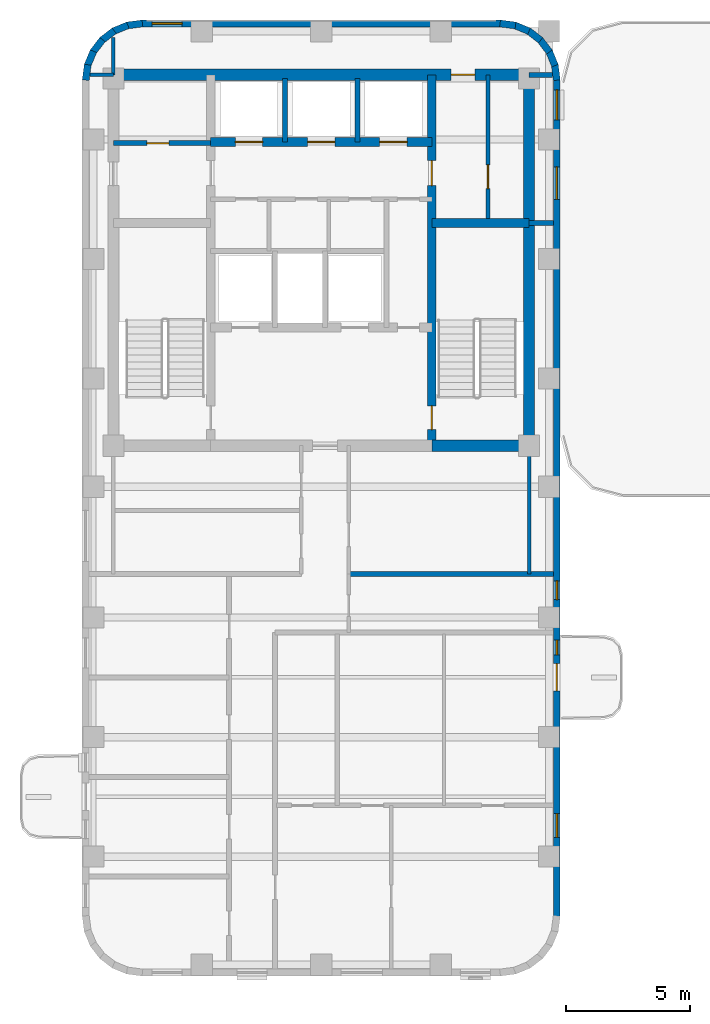
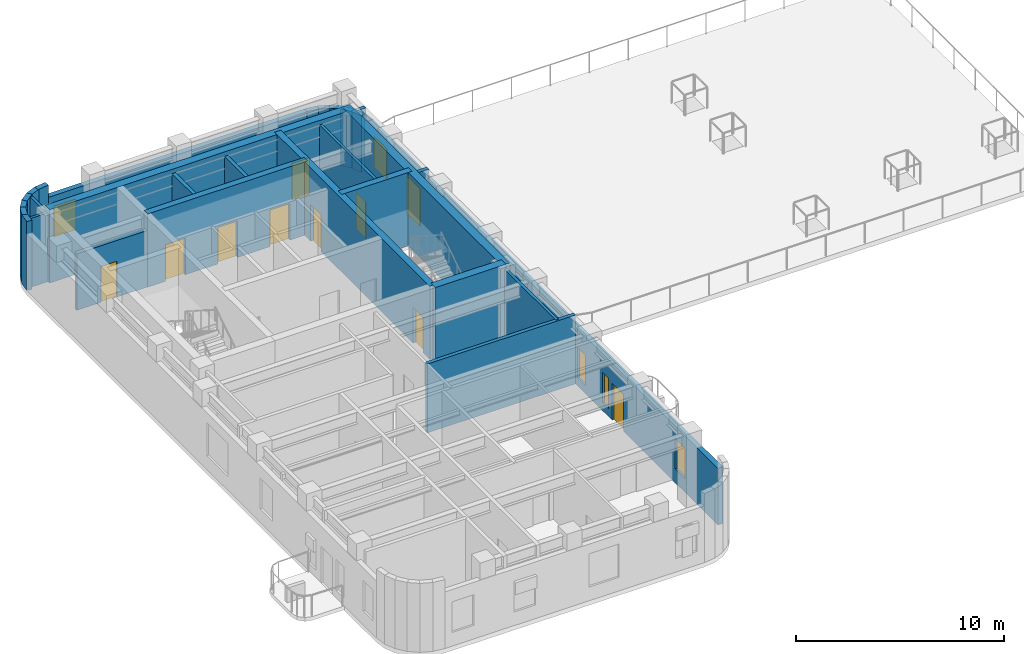
# One storey, part 4 of 7: 30 walls, 10 doors, 5 windows, 15 openings.
"""IFC4 building model written with IfcOpenShell, lengths in metres."""

import ifcopenshell
import ifcopenshell.guid

model = None  # the IFC model being written
_history = None  # IfcOwnerHistory: only IFC2X3 demands one
_inside = {}  # id of a spatial element -> (the spatial element, [elements in it])
_under = {}  # id of a project, library or spatial element -> (it, [spatial elements below it])
_declared = {}  # id of a project -> (the project, [libraries it declares])
_typed = {}  # id of a type object -> (the type object, [elements of that type])
_made_of = {}  # id of a material, layer set ... -> (it, [elements and type objects made of it])


def new_model(schema):
    """Start an empty IFC model of exactly this schema.

    Asked for "IFC4X3", IfcOpenShell would pick the latest addendum, in which some entities
    have other attributes; the version numbers below select the first issue.
    IFC2X3 requires an IfcOwnerHistory on every rooted entity: one is made here for all.
    """
    global model, _history
    if schema == "IFC4X3":
        model = ifcopenshell.file(schema_version=(4, 3, 0, 0))
    else:
        model = ifcopenshell.file(schema=schema)
    _inside.clear()
    _under.clear()
    _declared.clear()
    _typed.clear()
    _made_of.clear()
    _history = None
    if model.schema == "IFC2X3":
        org = make("IfcOrganization", Name="unknown")
        user = make(
            "IfcPersonAndOrganization",
            ThePerson=make("IfcPerson", FamilyName="unknown"),
            TheOrganization=org,
        )
        app = make(
            "IfcApplication",
            ApplicationDeveloper=org,
            Version="unknown",
            ApplicationFullName="unknown",
            ApplicationIdentifier="unknown",
        )
        _history = make(
            "IfcOwnerHistory",
            OwningUser=user,
            OwningApplication=app,
            ChangeAction="ADDED",
            CreationDate=0,
        )
    return model


def make(cls, **values):
    """One entity of the class cls with the attributes given. An attribute that is None is left unset."""
    return model.create_entity(
        cls, **{name: value for name, value in values.items() if value is not None}
    )


def rooted(cls, **values):
    """An entity with a GlobalId (a new one), such as an element, a storey or a relation."""
    return make(cls, GlobalId=ifcopenshell.guid.new(), OwnerHistory=_history, **values)


def si_unit(unit_type, name, prefix=None):
    """IfcSIUnit, for example si_unit("LENGTHUNIT", "METRE", prefix="MILLI")."""
    return make("IfcSIUnit", UnitType=unit_type, Prefix=prefix, Name=name)


def assignment(units):
    """IfcUnitAssignment: the units of a project."""
    return None if units is None else make("IfcUnitAssignment", Units=units)


def point(xyz):
    """IfcCartesianPoint."""
    return None if xyz is None else make("IfcCartesianPoint", Coordinates=xyz)


def direction(xyz):
    """IfcDirection."""
    return None if xyz is None else make("IfcDirection", DirectionRatios=xyz)


def frame(location, z_axis=None, x_axis=None):
    """IfcAxis2Placement3D, a coordinate frame: its origin and axes. An axis left out is left unset."""
    return make(
        "IfcAxis2Placement3D",
        Location=point(location),
        Axis=direction(z_axis),
        RefDirection=direction(x_axis),
    )


def frame_2d(location, x_axis=None):
    """IfcAxis2Placement2D, a coordinate frame in the plane: its origin and x axis."""
    return make(
        "IfcAxis2Placement2D", Location=point(location), RefDirection=direction(x_axis)
    )


def origin():
    """The frame at (0, 0, 0) with its axes left unset."""
    return frame((0.0, 0.0, 0.0))


def place(relative_to, where):
    """IfcLocalPlacement: puts the frame where relative to a parent placement (None: the world)."""
    return make(
        "IfcLocalPlacement", PlacementRelTo=relative_to, RelativePlacement=where
    )


def context(
    kind, dimensions, precision=None, world=None, true_north=None, identifier=None
):
    """IfcGeometricRepresentationContext, for example the 3D "Model" context."""
    return make(
        "IfcGeometricRepresentationContext",
        ContextIdentifier=identifier,
        ContextType=kind,
        CoordinateSpaceDimension=dimensions,
        Precision=precision,
        WorldCoordinateSystem=world,
        TrueNorth=true_north,
    )


def subcontext(parent, identifier, kind, view, scale=None):
    """IfcGeometricRepresentationSubContext, for example "Body" below "Model"."""
    return make(
        "IfcGeometricRepresentationSubContext",
        ContextIdentifier=identifier,
        ContextType=kind,
        ParentContext=parent,
        TargetScale=scale,
        TargetView=view,
    )


def project(units=None, contexts=None):
    """IfcProject with its units and contexts."""
    return rooted(
        "IfcProject",
        Name="project",
        RepresentationContexts=contexts,
        UnitsInContext=assignment(units),
    )


def spatial(cls, under=None, at=None, **own):
    """A site, building, storey or space (cls), placed at a placement, below another one or the project."""
    s = rooted(cls, ObjectPlacement=at, **own)
    if under is not None:
        _under.setdefault(under.id(), (under, []))[1].append(s)
    return s


def profile(cls, at=None, kind="AREA", **sizes):
    """A parametric profile (cls). Its sizes go by their IFC names, for example OverallWidth=200.0."""
    return make(cls, ProfileType=kind, Position=at, **sizes)


def rectangle(**sizes):
    """IfcRectangleProfileDef."""
    return profile("IfcRectangleProfileDef", **sizes)


def extrude(swept, where, along, depth):
    """IfcExtrudedAreaSolid: the profile swept, set in the frame where, extruded along a direction by depth."""
    return make(
        "IfcExtrudedAreaSolid",
        SweptArea=swept,
        Position=where,
        ExtrudedDirection=direction(along),
        Depth=depth,
    )


def shape(context_of_items, identifier, shape_type, items):
    """IfcShapeRepresentation: the items that make up one representation, for example the "Body"."""
    return make(
        "IfcShapeRepresentation",
        ContextOfItems=context_of_items,
        RepresentationIdentifier=identifier,
        RepresentationType=shape_type,
        Items=items,
    )


def material(Name=None, Category=None):
    """IfcMaterial."""
    return make("IfcMaterial", Name=Name, Category=Category)


def layer(
    of_material, thickness, ventilated=None, Name=None, Category=None, Priority=None
):
    """IfcMaterialLayer: one layer of a wall or slab, of a material (None: an air gap)."""
    return make(
        "IfcMaterialLayer",
        Material=of_material,
        LayerThickness=thickness,
        IsVentilated=ventilated,
        Name=Name,
        Category=Category,
        Priority=Priority,
    )


def layer_set(layers, Name=None):
    """IfcMaterialLayerSet."""
    return make("IfcMaterialLayerSet", MaterialLayers=layers, LayerSetName=Name)


def made_of(thing, what):
    """Note that an element or type object is made of a material, layer set ...; save() writes the relation."""
    if what is not None:
        _made_of.setdefault(what.id(), (what, []))[1].append(thing)
    return thing


def type_object(cls, material=None, **own):
    """A type object (cls), such as IfcWallType, which elements share."""
    return made_of(rooted(cls, **own), material)


def element(
    cls,
    number,
    at=None,
    inside=None,
    cuts=None,
    type_object=None,
    material=None,
    context=None,
    identifier="Body",
    shape_type=None,
    held_by="IfcProductDefinitionShape",
    body=None,
    shapes=None,
    **own,
):
    """One element of the class cls, such as IfcWall. Its Tag is "e" and its number.

    at: its placement. inside: the storey or other place that contains it. cuts: it is an
    opening in that element (IfcRelVoidsElement). A single representation is given by context,
    identifier, shape_type and body (its items); several are given by shapes. held_by: the class
    of the entity that holds the representations. save() writes the other relations.
    """
    e = rooted(cls, Tag="e%d" % number, ObjectPlacement=at, **own)
    if body is not None:
        shapes = [shape(context, identifier, shape_type, body)]
    if shapes is not None:
        e.Representation = make(held_by, Representations=shapes)
    if inside is not None:
        _inside.setdefault(inside.id(), (inside, []))[1].append(e)
    if cuts is not None:
        rooted(
            "IfcRelVoidsElement", RelatingBuildingElement=cuts, RelatedOpeningElement=e
        )
    if type_object is not None:
        _typed.setdefault(type_object.id(), (type_object, []))[1].append(e)
    return made_of(e, material)


def fill(opening, filler):
    """IfcRelFillsElement: the door or window that sits in an opening."""
    return rooted(
        "IfcRelFillsElement",
        RelatingOpeningElement=opening,
        RelatedBuildingElement=filler,
    )


def aggregate(whole, parts):
    """IfcRelAggregates: a whole, such as a stair, and the parts it consists of."""
    return rooted("IfcRelAggregates", RelatingObject=whole, RelatedObjects=parts)


def save(model, path):
    """Write the relations noted so far, then the file.

    IfcRelAggregates (storeys below a building ...), IfcRelContainedInSpatialStructure (elements
    in a storey), IfcRelDefinesByType, IfcRelAssociatesMaterial and IfcRelDeclares: one each for
    every whole, place, type object, material and project.
    """
    for whole, parts in _under.values():
        aggregate(whole, parts)
    for where, things in _inside.values():
        rooted(
            "IfcRelContainedInSpatialStructure",
            RelatedElements=things,
            RelatingStructure=where,
        )
    for kind, things in _typed.values():
        rooted("IfcRelDefinesByType", RelatedObjects=things, RelatingType=kind)
    for what, things in _made_of.values():
        rooted("IfcRelAssociatesMaterial", RelatedObjects=things, RelatingMaterial=what)
    for by, libraries in _declared.values():
        rooted("IfcRelDeclares", RelatingContext=by, RelatedDefinitions=libraries)
    model.write(path)


model = new_model("IFC4")

# Units and contexts
model_context = context("Model", 3, precision=1e-05, world=origin(), true_north=direction((0.0, 1.0)))
body_context = subcontext(model_context, "Body", "Model", "MODEL_VIEW")
ifc_project = project(units=[si_unit("LENGTHUNIT", "METRE"), si_unit("AREAUNIT", "SQUARE_METRE"), si_unit("VOLUMEUNIT", "CUBIC_METRE"), si_unit("PLANEANGLEUNIT", "RADIAN"), si_unit("MASSUNIT", "GRAM", prefix="KILO")], contexts=[model_context])

# Site, building, storey
site_placement = place(None, origin())
site = spatial("IfcSite", under=ifc_project, at=site_placement, CompositionType="ELEMENT")
building_placement = place(site_placement, origin())
building = spatial("IfcBuilding", under=site, at=building_placement, Name="Orvandelia Arch Residences", CompositionType="ELEMENT")
storey_placement = place(building_placement, frame((0.0, 0.0, 239.800048828125)))
storey = spatial("IfcBuildingStorey", under=building, at=storey_placement, Name="L63", CompositionType="ELEMENT", Elevation=239.800048828125)

# Wall, openings, doors
ifc_material_1 = material(Name="Concrete C50/60", Category="concrete")
ifc_layer_1 = layer(ifc_material_1, 0.35009765625, Name="Concrete C50/60", Category="concrete")
ifc_layer_set_1 = layer_set([ifc_layer_1], Name="Concrete C50/60")
wall_type_1 = type_object("IfcWallType", Name="WL-CORE-350", PredefinedType="SHEAR", material=ifc_layer_set_1)
wall_1_placement = place(storey_placement, frame((18.840087890625, 30.89990234375, 0.0), z_axis=(0.0, 0.0, 1.0), x_axis=(0.0, 1.0, 0.0)))
wall_1 = element("IfcWall", 1, at=wall_1_placement, inside=storey, type_object=wall_type_1, Name="Core Shear Wall L63-WEB2", PredefinedType="SHEAR", context=body_context, shape_type="SweptSolid", body=[
    extrude(rectangle(XDim=14.900146484375, YDim=0.35009765625, at=frame_2d((7.4501953125, 0.0))), origin(), (0.0, 0.0, 1.0), 4.300048828125),
])
opening_1_placement = place(wall_1_placement, frame((0.64990234375, 0.0, 0.0)))
opening_1 = element("IfcOpeningElement", 2, at=opening_1_placement, cuts=wall_1, Name="Opening D7", PredefinedType="OPENING", context=body_context, shape_type="SweptSolid", body=[
    extrude(rectangle(XDim=0.949951171875, YDim=2.10009765625, at=frame_2d((0.47509765625, 1.050048828125))), frame((0.0, 0.18505859375, 0.0), z_axis=(0.0, -1.0, 0.0), x_axis=(1.0, 0.0, 0.0)), (0.0, 0.0, 1.0), 0.3701171875),
])
opening_2_placement = place(wall_1_placement, frame((10.449951171875, 0.0, 0.0)))
opening_2 = element("IfcOpeningElement", 3, at=opening_2_placement, cuts=wall_1, Name="Opening D6", PredefinedType="OPENING", context=body_context, shape_type="SweptSolid", body=[
    extrude(rectangle(XDim=1.0, YDim=2.14990234375, at=frame_2d((0.5, 1.074951171875))), frame((0.0, 0.18505859375, 0.0), z_axis=(0.0, -1.0, 0.0), x_axis=(1.0, 0.0, 0.0)), (0.0, 0.0, 1.0), 0.3701171875),
])
ifc_material_2 = material(Name="Smokeproof Painted Steel Fire Door", Category="steel")
door_type_1 = type_object("IfcDoorType", Name="DR-FD60-1000", OperationType="NOTDEFINED", PredefinedType="DOOR", material=ifc_material_2)
door_1_placement = place(opening_2_placement, origin())
door_1 = element("IfcDoor", 4, at=door_1_placement, inside=storey, type_object=door_type_1, Name="High-Rise Lift Hall East Vestibule Door L63", OperationType="SINGLE_SWING_RIGHT", OverallHeight=2.14990234375, OverallWidth=1.0, PredefinedType="DOOR", context=body_context, shape_type="SweptSolid", body=[
    extrude(rectangle(XDim=1.0, YDim=2.14990234375, at=frame_2d((0.5, 1.074951171875))), frame((0.0, 0.02490234375, 0.0), z_axis=(0.0, -1.0, 0.0), x_axis=(1.0, 0.0, 0.0)), (0.0, 0.0, 1.0), 0.050048828125),
])
fill(opening_2, door_1)
ifc_material_3 = material(Name="Pressurised Stairwell Fire Door")
door_type_2 = type_object("IfcDoorType", Name="DR-STAIR-950", OperationType="NOTDEFINED", PredefinedType="DOOR", material=ifc_material_3)
door_2_placement = place(opening_1_placement, origin())
door_2 = element("IfcDoor", 5, at=door_2_placement, inside=storey, type_object=door_type_2, Name="Stairwell ST-2 Fire Door L63", OperationType="SINGLE_SWING_RIGHT", OverallHeight=2.10009765625, OverallWidth=0.949951171875, PredefinedType="DOOR", context=body_context, shape_type="SweptSolid", body=[
    extrude(rectangle(XDim=0.949951171875, YDim=2.10009765625, at=frame_2d((0.47509765625, 1.050048828125))), frame((0.0, 0.02490234375, 0.0), z_axis=(0.0, -1.0, 0.0), x_axis=(1.0, 0.0, 0.0)), (0.0, 0.0, 1.0), 0.050048828125),
])
fill(opening_1, door_2)

# Wall
wall_2_placement = place(storey_placement, frame((18.840087890625, 39.85009765625, 0.0), z_axis=(0.0, 0.0, 1.0), x_axis=(1.0, 0.0, 0.0)))
element("IfcWall", 6, at=wall_2_placement, inside=storey, type_object=wall_type_1, Name="Core Shear Wall L63-HZ2", PredefinedType="SHEAR", context=body_context, shape_type="SweptSolid", body=[
    extrude(rectangle(XDim=3.909912109375, YDim=0.35009765625, at=frame_2d((1.955078125, 0.0))), origin(), (0.0, 0.0, 1.0), 4.300048828125),
])

# Wall, openings, doors
wall_3_placement = place(storey_placement, frame((9.9599609375, 43.10009765625, 0.0), z_axis=(0.0, 0.0, 1.0), x_axis=(1.0, 0.0, 0.0)))
wall_3 = element("IfcWall", 7, at=wall_3_placement, inside=storey, type_object=wall_type_1, Name="Core Shear Wall L63-HZ4", PredefinedType="SHEAR", context=body_context, shape_type="SweptSolid", body=[
    extrude(rectangle(XDim=8.880126953125, YDim=0.35009765625, at=frame_2d((4.43994140625, 0.0))), origin(), (0.0, 0.0, 1.0), 4.300048828125),
])
opening_3_placement = place(wall_3_placement, frame((0.989990234375, 0.0, 0.0)))
opening_3 = element("IfcOpeningElement", 8, at=opening_3_placement, cuts=wall_3, Name="Opening LD", PredefinedType="OPENING", context=body_context, shape_type="SweptSolid", body=[
    extrude(rectangle(XDim=1.10009765625, YDim=2.14990234375, at=frame_2d((0.550048828125, 1.074951171875))), frame((0.0, 0.18505859375, 0.0), z_axis=(0.0, -1.0, 0.0), x_axis=(1.0, 0.0, 0.0)), (0.0, 0.0, 1.0), 0.3701171875),
])
opening_4_placement = place(wall_3_placement, frame((3.889892578125, 0.0, 0.0)))
opening_4 = element("IfcOpeningElement", 9, at=opening_4_placement, cuts=wall_3, Name="Opening LD", PredefinedType="OPENING", context=body_context, shape_type="SweptSolid", body=[
    extrude(rectangle(XDim=1.10009765625, YDim=2.14990234375, at=frame_2d((0.550048828125, 1.074951171875))), frame((0.0, 0.18505859375, 0.0), z_axis=(0.0, -1.0, 0.0), x_axis=(1.0, 0.0, 0.0)), (0.0, 0.0, 1.0), 0.3701171875),
])
opening_5_placement = place(wall_3_placement, frame((6.7900390625, 0.0, 0.0)))
opening_5 = element("IfcOpeningElement", 10, at=opening_5_placement, cuts=wall_3, Name="Opening LD", PredefinedType="OPENING", context=body_context, shape_type="SweptSolid", body=[
    extrude(rectangle(XDim=1.10009765625, YDim=2.14990234375, at=frame_2d((0.550048828125, 1.074951171875))), frame((0.0, 0.18505859375, 0.0), z_axis=(0.0, -1.0, 0.0), x_axis=(1.0, 0.0, 0.0)), (0.0, 0.0, 1.0), 0.3701171875),
])
ifc_material_4 = material(Name="Brushed Stainless Steel Sliding Lift Door", Category="steel")
door_type_3 = type_object("IfcDoorType", Name="DR-LIFT-1100", OperationType="NOTDEFINED", PredefinedType="DOOR", material=ifc_material_4)
door_3_placement = place(opening_3_placement, origin())
door_3 = element("IfcDoor", 11, at=door_3_placement, inside=storey, type_object=door_type_3, Name="Lift Landing Door LD-PH1-L63", OperationType="SLIDING_TO_LEFT", OverallHeight=2.14990234375, OverallWidth=1.10009765625, PredefinedType="DOOR", context=body_context, shape_type="SweptSolid", body=[
    extrude(rectangle(XDim=1.10009765625, YDim=2.14990234375, at=frame_2d((0.550048828125, 1.074951171875))), frame((0.0, 0.02490234375, 0.0), z_axis=(0.0, -1.0, 0.0), x_axis=(1.0, 0.0, 0.0)), (0.0, 0.0, 1.0), 0.050048828125),
])
fill(opening_3, door_3)
door_4_placement = place(opening_4_placement, origin())
door_4 = element("IfcDoor", 12, at=door_4_placement, inside=storey, type_object=door_type_3, Name="Lift Landing Door LD-PH2-L63", OperationType="SLIDING_TO_RIGHT", OverallHeight=2.14990234375, OverallWidth=1.10009765625, PredefinedType="DOOR", context=body_context, shape_type="SweptSolid", body=[
    extrude(rectangle(XDim=1.10009765625, YDim=2.14990234375, at=frame_2d((0.550048828125, 1.074951171875))), frame((0.0, 0.02490234375, 0.0), z_axis=(0.0, -1.0, 0.0), x_axis=(1.0, 0.0, 0.0)), (0.0, 0.0, 1.0), 0.050048828125),
])
fill(opening_4, door_4)
door_5_placement = place(opening_5_placement, origin())
door_5 = element("IfcDoor", 13, at=door_5_placement, inside=storey, type_object=door_type_3, Name="Lift Landing Door LD-PH3-L63", OperationType="SLIDING_TO_LEFT", OverallHeight=2.14990234375, OverallWidth=1.10009765625, PredefinedType="DOOR", context=body_context, shape_type="SweptSolid", body=[
    extrude(rectangle(XDim=1.10009765625, YDim=2.14990234375, at=frame_2d((0.550048828125, 1.074951171875))), frame((0.0, 0.02490234375, 0.0), z_axis=(0.0, -1.0, 0.0), x_axis=(1.0, 0.0, 0.0)), (0.0, 0.0, 1.0), 0.050048828125),
])
fill(opening_5, door_5)

# Wall
ifc_layer_2 = layer(ifc_material_1, 0.449951171875, Name="Concrete C50/60", Category="concrete")
ifc_layer_set_2 = layer_set([ifc_layer_2], Name="Concrete C50/60")
wall_type_2 = type_object("IfcWallType", Name="WL-CORE-450", PredefinedType="SHEAR", material=ifc_layer_set_2)
wall_4_placement = place(storey_placement, frame((22.75, 30.675048828125, 0.0), z_axis=(0.0, 0.0, 1.0), x_axis=(0.0, 1.0, 0.0)))
element("IfcWall", 14, at=wall_4_placement, inside=storey, type_object=wall_type_2, Name="Core Shear Wall L63-E", PredefinedType="SHEAR", context=body_context, shape_type="SweptSolid", body=[
    extrude(rectangle(XDim=15.349853515625, YDim=0.449951171875, at=frame_2d((7.6748046875, 0.0))), origin(), (0.0, 0.0, 1.0), 4.300048828125),
])

# Wall, opening, door
wall_5_placement = place(storey_placement, frame((6.050048828125, 45.800048828125, 0.0), z_axis=(0.0, 0.0, 1.0), x_axis=(1.0, 0.0, 0.0)))
wall_5 = element("IfcWall", 15, at=wall_5_placement, inside=storey, type_object=wall_type_2, Name="Core Shear Wall L63-N", PredefinedType="SHEAR", context=body_context, shape_type="SweptSolid", body=[
    extrude(rectangle(XDim=16.699951171875, YDim=0.449951171875, at=frame_2d((8.35009765625, 0.0))), origin(), (0.0, 0.0, 1.0), 4.300048828125),
])
opening_6_placement = place(wall_5_placement, frame((13.570068359375, 0.0, 0.0)))
opening_6 = element("IfcOpeningElement", 16, at=opening_6_placement, cuts=wall_5, Name="Opening D2", PredefinedType="OPENING", context=body_context, shape_type="SweptSolid", body=[
    extrude(rectangle(XDim=0.949951171875, YDim=2.14990234375, at=frame_2d((0.47509765625, 1.074951171875))), frame((0.0, 0.23486328125, 0.0), z_axis=(0.0, -1.0, 0.0), x_axis=(1.0, 0.0, 0.0)), (0.0, 0.0, 1.0), 0.469970703125),
])
ifc_material_5 = material(Name="Solid-Core Timber Interior Fire Door", Category="wood")
door_type_4 = type_object("IfcDoorType", Name="DR-APT-950", OperationType="NOTDEFINED", PredefinedType="DOOR", material=ifc_material_5)
door_6_placement = place(opening_6_placement, origin())
door_6 = element("IfcDoor", 17, at=door_6_placement, inside=storey, type_object=door_type_4, Name="North Harbour Suite Entry Door L63", OperationType="SINGLE_SWING_LEFT", OverallHeight=2.14990234375, OverallWidth=0.949951171875, PredefinedType="DOOR", context=body_context, shape_type="SweptSolid", body=[
    extrude(rectangle(XDim=0.949951171875, YDim=2.14990234375, at=frame_2d((0.47509765625, 1.074951171875))), frame((0.0, 0.02490234375, 0.0), z_axis=(0.0, -1.0, 0.0), x_axis=(1.0, 0.0, 0.0)), (0.0, 0.0, 1.0), 0.050048828125),
])
fill(opening_6, door_6)

# Walls
wall_6_placement = place(storey_placement, frame((18.840087890625, 30.89990234375, 0.0), z_axis=(0.0, 0.0, 1.0), x_axis=(1.0, 0.0, 0.0)))
element("IfcWall", 18, at=wall_6_placement, inside=storey, type_object=wall_type_2, Name="Core Shear Wall L63-SE", PredefinedType="SHEAR", context=body_context, shape_type="SweptSolid", body=[
    extrude(rectangle(XDim=3.909912109375, YDim=0.449951171875, at=frame_2d((1.955078125, 0.0))), origin(), (0.0, 0.0, 1.0), 4.300048828125),
])
ifc_material_6 = material(Name="Fire-Rated Corridor Partition")
ifc_layer_3 = layer(ifc_material_6, 0.199951171875, Name="Fire-Rated Corridor Partition")
ifc_layer_set_3 = layer_set([ifc_layer_3], Name="Fire-Rated Corridor Partition")
wall_type_3 = type_object("IfcWallType", Name="WL-CORR-200", PredefinedType="PARTITIONING", material=ifc_layer_set_3)
wall_7_placement = place(storey_placement, frame((15.5, 25.75, 0.0), z_axis=(0.0, 0.0, 1.0), x_axis=(1.0, 0.0, 0.0)))
element("IfcWall", 19, at=wall_7_placement, inside=storey, type_object=wall_type_3, Name="Interior Partition Wall WL-L63-WLNK-NE2", PredefinedType="PARTITIONING", context=body_context, shape_type="SweptSolid", body=[
    extrude(rectangle(XDim=8.219970703125, YDim=0.199951171875, at=frame_2d((4.10986328125, 0.0))), origin(), (0.0, 0.0, 1.0), 4.0400390625),
])
ifc_material_7 = material(Name="Precast concrete C40/50", Category="concrete")
ifc_layer_4 = layer(ifc_material_7, 0.280029296875, Name="Precast concrete C40/50", Category="concrete")
ifc_layer_set_4 = layer_set([ifc_layer_4], Name="Precast concrete C40/50")
wall_type_4 = type_object("IfcWallType", Name="WL-EXT-STONE-280", PredefinedType="STANDARD", material=ifc_layer_set_4)
for number, where, z_axis, x_axis, name in (
    (20, (4.938720703125, 45.581787109375, 0.0), (0.0, 0.0, 1.0), (0.130555323746, 0.9914410257, 0.0), "Coral-Limestone Precast Facade Wall L63-001"),
    (21, (5.010986328125, 46.16748046875, 0.0), (0.0, 0.0, 1.0), (0.382650053678, 0.92389335771, 0.0), "Coral-Limestone Precast Facade Wall L63-002"),
    (22, (5.232666015625, 46.71484375, 0.0), (0.0, 0.0, 1.0), (0.608693302629, 0.793405610854, 0.0), "Coral-Limestone Precast Facade Wall L63-003"),
    (23, (5.588134765625, 47.18603515625, 0.0), (0.0, 0.0, 1.0), (0.793405610854, 0.608693302629, 0.0), "Coral-Limestone Precast Facade Wall L63-004"),
):
    element("IfcWall", number, at=place(storey_placement, frame(where, z_axis=z_axis, x_axis=x_axis)), inside=storey, type_object=wall_type_4, Name=name, PredefinedType="STANDARD", context=body_context, shape_type="SweptSolid", body=[
        extrude(rectangle(XDim=0.62646484375, YDim=0.280029296875, at=frame_2d((0.313232421875, 0.0))), origin(), (0.0, 0.0, 1.0), 4.0400390625),
    ])
wall_8_placement = place(storey_placement, frame((6.0537109375, 47.54931640625, 0.0), z_axis=(0.0, 0.0, 1.0), x_axis=(0.923974080304, 0.382455093999, 0.0)))
element("IfcWall", 24, at=wall_8_placement, inside=storey, type_object=wall_type_4, Name="Coral-Limestone Precast Facade Wall L63-005", PredefinedType="STANDARD", context=body_context, shape_type="SweptSolid", body=[
    extrude(rectangle(XDim=0.626220703125, YDim=0.280029296875, at=frame_2d((0.31298828125, 0.0))), origin(), (0.0, 0.0, 1.0), 4.0400390625),
])
wall_9_placement = place(storey_placement, frame((6.59716796875, 47.779296875, 0.0), z_axis=(0.0, 0.0, 1.0), x_axis=(0.9914410257, 0.130555323746, 0.0)))
element("IfcWall", 25, at=wall_9_placement, inside=storey, type_object=wall_type_4, Name="Coral-Limestone Precast Facade Wall L63-006", PredefinedType="STANDARD", context=body_context, shape_type="SweptSolid", body=[
    extrude(rectangle(XDim=0.62646484375, YDim=0.280029296875, at=frame_2d((0.313232421875, 0.0))), origin(), (0.0, 0.0, 1.0), 4.0400390625),
])

# Wall, opening, window
wall_10_placement = place(storey_placement, frame((7.199951171875, 47.860107421875, 0.0), z_axis=(0.0, 0.0, 1.0), x_axis=(1.0, 0.0, 0.0)))
wall_10 = element("IfcWall", 26, at=wall_10_placement, inside=storey, type_object=wall_type_4, Name="Coral-Limestone Precast Facade Wall L63-007", PredefinedType="STANDARD", context=body_context, shape_type="SweptSolid", body=[
    extrude(rectangle(XDim=14.400146484375, YDim=0.280029296875, at=frame_2d((7.2001953125, 0.0))), origin(), (0.0, 0.0, 1.0), 3.320068359375),
])
opening_7_placement = place(wall_10_placement, frame((0.407470703125, 0.0, 0.800048828125)))
opening_7 = element("IfcOpeningElement", 27, at=opening_7_placement, cuts=wall_10, Name="Opening W3", PredefinedType="OPENING", context=body_context, shape_type="SweptSolid", body=[
    extrude(rectangle(XDim=1.199951171875, YDim=1.800048828125, at=frame_2d((0.60009765625, 0.89990234375))), frame((0.0, 0.14990234375, 0.0), z_axis=(0.0, -1.0, 0.0), x_axis=(1.0, 0.0, 0.0)), (0.0, 0.0, 1.0), 0.300048828125),
])
ifc_material_8 = material(Name="Tempered Low-E Insulated Glazing", Category="glass")
window_type_1 = type_object("IfcWindowType", Name="WIN-RES-1200x1800", PartitioningType="SINGLE_PANEL", PredefinedType="WINDOW", material=ifc_material_8)
window_1_placement = place(opening_7_placement, origin())
window_1 = element("IfcWindow", 28, at=window_1_placement, inside=storey, type_object=window_type_1, Name="Recessed Punched Window L63-001", OverallHeight=1.800048828125, OverallWidth=1.199951171875, PartitioningType="SINGLE_PANEL", PredefinedType="WINDOW", context=body_context, shape_type="SweptSolid", body=[
    extrude(rectangle(XDim=1.199951171875, YDim=1.800048828125, at=frame_2d((0.60009765625, 0.89990234375))), frame((0.0, 0.030029296875, 0.0), z_axis=(0.0, -1.0, 0.0), x_axis=(1.0, 0.0, 0.0)), (0.0, 0.0, 1.0), 0.06005859375),
])
fill(opening_7, window_1)

# Walls
for number, where, z_axis, x_axis, name in (
    (29, (21.581787109375, 47.861083984375, 0.0), (0.0, 0.0, 1.0), (0.9914410257, -0.130555323746, 0.0), "Coral-Limestone Precast Facade Wall L63-008"),
    (30, (22.16748046875, 47.788818359375, 0.0), (0.0, 0.0, 1.0), (0.924031075431, -0.382317370307, 0.0), "Coral-Limestone Precast Facade Wall L63-009"),
    (31, (22.71484375, 47.5673828125, 0.0), (0.0, 0.0, 1.0), (0.793405610854, -0.608693302629, 0.0), "Coral-Limestone Precast Facade Wall L63-010"),
    (32, (23.18603515625, 47.2119140625, 0.0), (0.0, 0.0, 1.0), (0.608693302629, -0.793405610854, 0.0), "Coral-Limestone Precast Facade Wall L63-011"),
    (33, (23.54931640625, 46.746337890625, 0.0), (0.0, 0.0, 1.0), (0.382317370307, -0.924031075431, 0.0), "Coral-Limestone Precast Facade Wall L63-012"),
    (34, (23.779296875, 46.202880859375, 0.0), (0.0, 0.0, 1.0), (0.130555323746, -0.9914410257, 0.0), "Coral-Limestone Precast Facade Wall L63-013"),
):
    element("IfcWall", number, at=place(storey_placement, frame(where, z_axis=z_axis, x_axis=x_axis)), inside=storey, type_object=wall_type_4, Name=name, PredefinedType="STANDARD", context=body_context, shape_type="SweptSolid", body=[
        extrude(rectangle(XDim=0.62646484375, YDim=0.280029296875, at=frame_2d((0.313232421875, 0.0))), origin(), (0.0, 0.0, 1.0), 3.320068359375),
    ])

# Wall, openings, doors, windows
wall_11_placement = place(storey_placement, frame((23.860107421875, 45.60009765625, 0.0), z_axis=(0.0, 0.0, 1.0), x_axis=(0.0, -1.0, 0.0)))
wall_11 = element("IfcWall", 35, at=wall_11_placement, inside=storey, type_object=wall_type_4, Name="Coral-Limestone Precast Facade Wall L63-014", PredefinedType="STANDARD", context=body_context, shape_type="SweptSolid", body=[
    extrude(rectangle(XDim=33.60009765625, YDim=0.280029296875, at=frame_2d((16.800048828125, 0.0))), origin(), (0.0, 0.0, 1.0), 3.320068359375),
])
opening_8_placement = place(wall_11_placement, frame((3.5, 0.0, 0.0)))
opening_8 = element("IfcOpeningElement", 36, at=opening_8_placement, cuts=wall_11, Name="Opening TD1", PredefinedType="OPENING", context=body_context, shape_type="SweptSolid", body=[
    extrude(rectangle(XDim=1.300048828125, YDim=2.199951171875, at=frame_2d((0.64990234375, 1.10009765625))), frame((0.0, 0.14990234375, 0.0), z_axis=(0.0, -1.0, 0.0), x_axis=(1.0, 0.0, 0.0)), (0.0, 0.0, 1.0), 0.300048828125),
])
opening_9_placement = place(wall_11_placement, frame((23.449951171875, 0.0, 0.0)))
opening_9 = element("IfcOpeningElement", 37, at=opening_9_placement, cuts=wall_11, Name="Opening BD1", PredefinedType="OPENING", context=body_context, shape_type="SweptSolid", body=[
    extrude(rectangle(XDim=1.10009765625, YDim=2.14990234375, at=frame_2d((0.550048828125, 1.074951171875))), frame((0.0, 0.14990234375, 0.0), z_axis=(0.0, -1.0, 0.0), x_axis=(1.0, 0.0, 0.0)), (0.0, 0.0, 1.0), 0.300048828125),
])
opening_10_placement = place(wall_11_placement, frame((22.5048828125, 0.0, 0.449951171875)))
opening_10 = element("IfcOpeningElement", 38, at=opening_10_placement, cuts=wall_11, Name="Opening W12", PredefinedType="OPENING", context=body_context, shape_type="SweptSolid", body=[
    extrude(rectangle(XDim=0.60009765625, YDim=1.800048828125, at=frame_2d((0.300048828125, 0.89990234375))), frame((0.0, 0.14990234375, 0.0), z_axis=(0.0, -1.0, 0.0), x_axis=(1.0, 0.0, 0.0)), (0.0, 0.0, 1.0), 0.300048828125),
])
opening_11_placement = place(wall_11_placement, frame((0.407470703125, 0.0, 0.800048828125)))
opening_11 = element("IfcOpeningElement", 39, at=opening_11_placement, cuts=wall_11, Name="Opening W3", PredefinedType="OPENING", context=body_context, shape_type="SweptSolid", body=[
    extrude(rectangle(XDim=1.199951171875, YDim=1.800048828125, at=frame_2d((0.60009765625, 0.89990234375))), frame((0.0, 0.14990234375, 0.0), z_axis=(0.0, -1.0, 0.0), x_axis=(1.0, 0.0, 0.0)), (0.0, 0.0, 1.0), 0.300048828125),
])
opening_12_placement = place(wall_11_placement, frame((29.4765625, 0.0, 0.800048828125)))
opening_12 = element("IfcOpeningElement", 40, at=opening_12_placement, cuts=wall_11, Name="Opening W4", PredefinedType="OPENING", context=body_context, shape_type="SweptSolid", body=[
    extrude(rectangle(XDim=0.949951171875, YDim=1.800048828125, at=frame_2d((0.47509765625, 0.89990234375))), frame((0.0, 0.14990234375, 0.0), z_axis=(0.0, -1.0, 0.0), x_axis=(1.0, 0.0, 0.0)), (0.0, 0.0, 1.0), 0.300048828125),
])
opening_13_placement = place(wall_11_placement, frame((20.132568359375, 0.0, 0.449951171875)))
opening_13 = element("IfcOpeningElement", 41, at=opening_13_placement, cuts=wall_11, Name="Opening W11", PredefinedType="OPENING", context=body_context, shape_type="SweptSolid", body=[
    extrude(rectangle(XDim=0.75, YDim=1.800048828125, at=frame_2d((0.375, 0.89990234375))), frame((0.0, 0.14990234375, 0.0), z_axis=(0.0, -1.0, 0.0), x_axis=(1.0, 0.0, 0.0)), (0.0, 0.0, 1.0), 0.300048828125),
])
ifc_material_9 = material(Name="Thermally Broken Aluminium Glazed Door", Category="aluminium")
door_type_5 = type_object("IfcDoorType", Name="DR-BAL-GLAZ-1100", OperationType="NOTDEFINED", PredefinedType="DOOR", material=ifc_material_9)
door_7_placement = place(opening_9_placement, origin())
door_7 = element("IfcDoor", 42, at=door_7_placement, inside=storey, type_object=door_type_5, Name="Tree Balcony Glazed Door BAL-L63-W2", OperationType="SINGLE_SWING_LEFT", OverallHeight=2.14990234375, OverallWidth=1.10009765625, PredefinedType="DOOR", context=body_context, shape_type="SweptSolid", body=[
    extrude(rectangle(XDim=1.10009765625, YDim=2.14990234375, at=frame_2d((0.550048828125, 1.074951171875))), frame((0.0, 0.02490234375, 0.0), z_axis=(0.0, -1.0, 0.0), x_axis=(1.0, 0.0, 0.0)), (0.0, 0.0, 1.0), 0.050048828125),
])
fill(opening_9, door_7)
door_type_6 = type_object("IfcDoorType", Name="DR-TERR-GLAZ-1300", OperationType="NOTDEFINED", PredefinedType="DOOR", material=ifc_material_9)
door_8_placement = place(opening_8_placement, origin())
door_8 = element("IfcDoor", 43, at=door_8_placement, inside=storey, type_object=door_type_6, Name="Glazed Sky-Terrace Access Door TERR-L63-EASTWING", OperationType="SINGLE_SWING_LEFT", OverallHeight=2.199951171875, OverallWidth=1.300048828125, PredefinedType="DOOR", context=body_context, shape_type="SweptSolid", body=[
    extrude(rectangle(XDim=1.300048828125, YDim=2.199951171875, at=frame_2d((0.64990234375, 1.10009765625))), frame((0.0, 0.02490234375, 0.0), z_axis=(0.0, -1.0, 0.0), x_axis=(1.0, 0.0, 0.0)), (0.0, 0.0, 1.0), 0.050048828125),
])
fill(opening_8, door_8)
window_type_2 = type_object("IfcWindowType", Name="WIN-BED-0750x1800", PartitioningType="SINGLE_PANEL", PredefinedType="WINDOW", material=ifc_material_8)
window_2_placement = place(opening_13_placement, origin())
window_2 = element("IfcWindow", 44, at=window_2_placement, inside=storey, type_object=window_type_2, Name="Recessed Punched Window L63-005", OverallHeight=1.800048828125, OverallWidth=0.75, PartitioningType="SINGLE_PANEL", PredefinedType="WINDOW", context=body_context, shape_type="SweptSolid", body=[
    extrude(rectangle(XDim=0.75, YDim=1.800048828125, at=frame_2d((0.375, 0.89990234375))), frame((0.0, 0.030029296875, 0.0), z_axis=(0.0, -1.0, 0.0), x_axis=(1.0, 0.0, 0.0)), (0.0, 0.0, 1.0), 0.06005859375),
])
fill(opening_13, window_2)
window_type_3 = type_object("IfcWindowType", Name="WIN-LAN-0600x1800", PartitioningType="SINGLE_PANEL", PredefinedType="WINDOW", material=ifc_material_8)
window_3_placement = place(opening_10_placement, origin())
window_3 = element("IfcWindow", 45, at=window_3_placement, inside=storey, type_object=window_type_3, Name="Recessed Punched Window L63-002", OverallHeight=1.800048828125, OverallWidth=0.60009765625, PartitioningType="SINGLE_PANEL", PredefinedType="WINDOW", context=body_context, shape_type="SweptSolid", body=[
    extrude(rectangle(XDim=0.60009765625, YDim=1.800048828125, at=frame_2d((0.300048828125, 0.89990234375))), frame((0.0, 0.030029296875, 0.0), z_axis=(0.0, -1.0, 0.0), x_axis=(1.0, 0.0, 0.0)), (0.0, 0.0, 1.0), 0.06005859375),
])
fill(opening_10, window_3)
window_type_4 = type_object("IfcWindowType", Name="WIN-RES-0950x1800", PartitioningType="SINGLE_PANEL", PredefinedType="WINDOW", material=ifc_material_8)
window_4_placement = place(opening_12_placement, origin())
window_4 = element("IfcWindow", 46, at=window_4_placement, inside=storey, type_object=window_type_4, Name="Recessed Punched Window L63-004", OverallHeight=1.800048828125, OverallWidth=0.949951171875, PartitioningType="SINGLE_PANEL", PredefinedType="WINDOW", context=body_context, shape_type="SweptSolid", body=[
    extrude(rectangle(XDim=0.949951171875, YDim=1.800048828125, at=frame_2d((0.47509765625, 0.89990234375))), frame((0.0, 0.030029296875, 0.0), z_axis=(0.0, -1.0, 0.0), x_axis=(1.0, 0.0, 0.0)), (0.0, 0.0, 1.0), 0.06005859375),
])
fill(opening_12, window_4)
window_5_placement = place(opening_11_placement, origin())
window_5 = element("IfcWindow", 47, at=window_5_placement, inside=storey, type_object=window_type_1, Name="Recessed Punched Window L63-003", OverallHeight=1.800048828125, OverallWidth=1.199951171875, PartitioningType="SINGLE_PANEL", PredefinedType="WINDOW", context=body_context, shape_type="SweptSolid", body=[
    extrude(rectangle(XDim=1.199951171875, YDim=1.800048828125, at=frame_2d((0.60009765625, 0.89990234375))), frame((0.0, 0.030029296875, 0.0), z_axis=(0.0, -1.0, 0.0), x_axis=(1.0, 0.0, 0.0)), (0.0, 0.0, 1.0), 0.06005859375),
])
fill(opening_11, window_5)

# Wall, opening, door
ifc_material_10 = material(Name="Acoustic Gypsum Stud Partition")
ifc_layer_5 = layer(ifc_material_10, 0.14990234375, Name="Acoustic Gypsum Stud Partition")
ifc_layer_set_5 = layer_set([ifc_layer_5], Name="Acoustic Gypsum Stud Partition")
wall_type_5 = type_object("IfcWallType", Name="WL-PART-150", PredefinedType="PARTITIONING", material=ifc_layer_set_5)
wall_12_placement = place(storey_placement, frame((21.10009765625, 40.030029296875, 0.0), z_axis=(0.0, 0.0, 1.0), x_axis=(0.0, 1.0, 0.0)))
wall_12 = element("IfcWall", 48, at=wall_12_placement, inside=storey, type_object=wall_type_5, Name="Interior Partition Wall WL-L63-HLE-E63", PredefinedType="PARTITIONING", context=body_context, shape_type="SweptSolid", body=[
    extrude(rectangle(XDim=5.77001953125, YDim=0.14990234375, at=frame_2d((2.885009765625, 0.0))), origin(), (0.0, 0.0, 1.0), 4.0400390625),
])
opening_14_placement = place(wall_12_placement, frame((1.199951171875, 0.0, 0.0)))
opening_14 = element("IfcOpeningElement", 49, at=opening_14_placement, cuts=wall_12, Name="Opening D2", PredefinedType="OPENING", context=body_context, shape_type="SweptSolid", body=[
    extrude(rectangle(XDim=0.949951171875, YDim=2.14990234375, at=frame_2d((0.47509765625, 1.074951171875))), frame((0.0, 0.0849609375, 0.0), z_axis=(0.0, -1.0, 0.0), x_axis=(1.0, 0.0, 0.0)), (0.0, 0.0, 1.0), 0.169921875),
])
door_9_placement = place(opening_14_placement, origin())
door_9 = element("IfcDoor", 50, at=door_9_placement, inside=storey, type_object=door_type_4, Name="DR-L63-TFOY", OperationType="SINGLE_SWING_LEFT", OverallHeight=2.14990234375, OverallWidth=0.949951171875, PredefinedType="DOOR", context=body_context, shape_type="SweptSolid", body=[
    extrude(rectangle(XDim=0.949951171875, YDim=2.14990234375, at=frame_2d((0.47509765625, 1.074951171875))), frame((0.0, 0.02490234375, 0.0), z_axis=(0.0, -1.0, 0.0), x_axis=(1.0, 0.0, 0.0)), (0.0, 0.0, 1.0), 0.050048828125),
])
fill(opening_14, door_9)

# Walls
wall_13_placement = place(storey_placement, frame((22.75, 25.75, 0.0), z_axis=(0.0, 0.0, 1.0), x_axis=(0.0, 1.0, 0.0)))
element("IfcWall", 51, at=wall_13_placement, inside=storey, type_object=wall_type_5, Name="Interior Partition Wall WL-L63-HI-WE", PredefinedType="PARTITIONING", context=body_context, shape_type="SweptSolid", body=[
    extrude(rectangle(XDim=5.14990234375, YDim=0.14990234375, at=frame_2d((2.574951171875, 0.0))), origin(), (0.0, 0.0, 1.0), 4.0400390625),
])
wall_14_placement = place(storey_placement, frame((5.1201171875, 45.800048828125, 0.0), z_axis=(0.0, 0.0, 1.0), x_axis=(1.0, 0.0, 0.0)))
element("IfcWall", 52, at=wall_14_placement, inside=storey, type_object=wall_type_5, Name="Interior Partition Wall WL-L63-WF-N", PredefinedType="PARTITIONING", context=body_context, shape_type="SweptSolid", body=[
    extrude(rectangle(XDim=0.929931640625, YDim=0.14990234375, at=frame_2d((0.46484375, 0.0))), origin(), (0.0, 0.0, 1.0), 4.0400390625),
])
wall_15_placement = place(storey_placement, frame((6.050048828125, 45.800048828125, 0.0), z_axis=(0.0, 0.0, 1.0), x_axis=(0.0, 1.0, 0.0)))
element("IfcWall", 53, at=wall_15_placement, inside=storey, type_object=wall_type_5, Name="Interior Partition Wall WL-L63-NHI-W6", PredefinedType="PARTITIONING", context=body_context, shape_type="SweptSolid", body=[
    extrude(rectangle(XDim=1.5, YDim=0.14990234375, at=frame_2d((0.75, 0.0))), origin(), (0.0, 0.0, 1.0), 4.0400390625),
])
ifc_material_11 = material(Name="Fire-Rated Shaft Enclosure Wall")
ifc_layer_6 = layer(ifc_material_11, 0.199951171875, Name="Fire-Rated Shaft Enclosure Wall")
ifc_layer_set_6 = layer_set([ifc_layer_6], Name="Fire-Rated Shaft Enclosure Wall")
wall_type_6 = type_object("IfcWallType", Name="WL-SHAFT-200", PredefinedType="POLYGONAL", material=ifc_layer_set_6)
wall_16_placement = place(storey_placement, frame((22.75, 39.85009765625, 0.0), z_axis=(0.0, 0.0, 1.0), x_axis=(1.0, 0.0, 0.0)))
element("IfcWall", 54, at=wall_16_placement, inside=storey, type_object=wall_type_6, Name="Interior Partition Wall WL-L63-HLE-S63", PredefinedType="POLYGONAL", context=body_context, shape_type="SweptSolid", body=[
    extrude(rectangle(XDim=0.969970703125, YDim=0.199951171875, at=frame_2d((0.48486328125, 0.0))), origin(), (0.0, 0.0, 1.0), 4.0400390625),
])
wall_17_placement = place(storey_placement, frame((22.75, 45.800048828125, 0.0), z_axis=(0.0, 0.0, 1.0), x_axis=(1.0, 0.0, 0.0)))
element("IfcWall", 55, at=wall_17_placement, inside=storey, type_object=wall_type_6, Name="Interior Partition Wall WL-L63-HLE-N63", PredefinedType="POLYGONAL", context=body_context, shape_type="SweptSolid", body=[
    extrude(rectangle(XDim=0.929931640625, YDim=0.199951171875, at=frame_2d((0.46484375, 0.0))), origin(), (0.0, 0.0, 1.0), 4.0400390625),
])

# Wall, opening, door
wall_18_placement = place(storey_placement, frame((6.050048828125, 43.050048828125, 0.0), z_axis=(0.0, 0.0, 1.0), x_axis=(1.0, 0.0, 0.0)))
wall_18 = element("IfcWall", 56, at=wall_18_placement, inside=storey, type_object=wall_type_6, Name="Interior Partition Wall WL-L63-HLW-N", PredefinedType="POLYGONAL", context=body_context, shape_type="SweptSolid", body=[
    extrude(rectangle(XDim=3.909912109375, YDim=0.199951171875, at=frame_2d((1.955078125, 0.0))), origin(), (0.0, 0.0, 1.0), 3.320068359375),
])
opening_15_placement = place(wall_18_placement, frame((1.35009765625, 0.0, 0.0)))
opening_15 = element("IfcOpeningElement", 57, at=opening_15_placement, cuts=wall_18, Name="Opening D5", PredefinedType="OPENING", context=body_context, shape_type="SweptSolid", body=[
    extrude(rectangle(XDim=0.8798828125, YDim=2.10009765625, at=frame_2d((0.43994140625, 1.050048828125))), frame((0.0, 0.10986328125, 0.0), z_axis=(0.0, -1.0, 0.0), x_axis=(1.0, 0.0, 0.0)), (0.0, 0.0, 1.0), 0.219970703125),
])
ifc_material_12 = material(Name="Painted Galvanised Steel Service Door", Category="steel")
door_type_7 = type_object("IfcDoorType", Name="DR-SRV-880", OperationType="NOTDEFINED", PredefinedType="DOOR", material=ifc_material_12)
door_10_placement = place(opening_15_placement, origin())
door_10 = element("IfcDoor", 58, at=door_10_placement, inside=storey, type_object=door_type_7, Name="Riser Service Door L63", OperationType="SINGLE_SWING_RIGHT", OverallHeight=2.10009765625, OverallWidth=0.8798828125, PredefinedType="DOOR", context=body_context, shape_type="SweptSolid", body=[
    extrude(rectangle(XDim=0.8798828125, YDim=2.10009765625, at=frame_2d((0.43994140625, 1.050048828125))), frame((0.0, 0.02490234375, 0.0), z_axis=(0.0, -1.0, 0.0), x_axis=(1.0, 0.0, 0.0)), (0.0, 0.0, 1.0), 0.050048828125),
])
fill(opening_15, door_10)

# Walls
for number, where, z_axis, x_axis, name in (
    (59, (12.949951171875, 43.10009765625, 0.0), (0.0, 0.0, 1.0), (0.0, 1.0, 0.0), "Interior Partition Wall WL-L63-PHD1"),
    (60, (15.85009765625, 43.10009765625, 0.0), (0.0, 0.0, 1.0), (0.0, 1.0, 0.0), "Interior Partition Wall WL-L63-PHD2"),
):
    element("IfcWall", number, at=place(storey_placement, frame(where, z_axis=z_axis, x_axis=x_axis)), inside=storey, type_object=wall_type_6, Name=name, PredefinedType="POLYGONAL", context=body_context, shape_type="SweptSolid", body=[
        extrude(rectangle(XDim=2.5498046875, YDim=0.199951171875, at=frame_2d((1.27490234375, 0.0))), origin(), (0.0, 0.0, 1.0), 4.0400390625),
    ])

save(model, "model.ifc")
